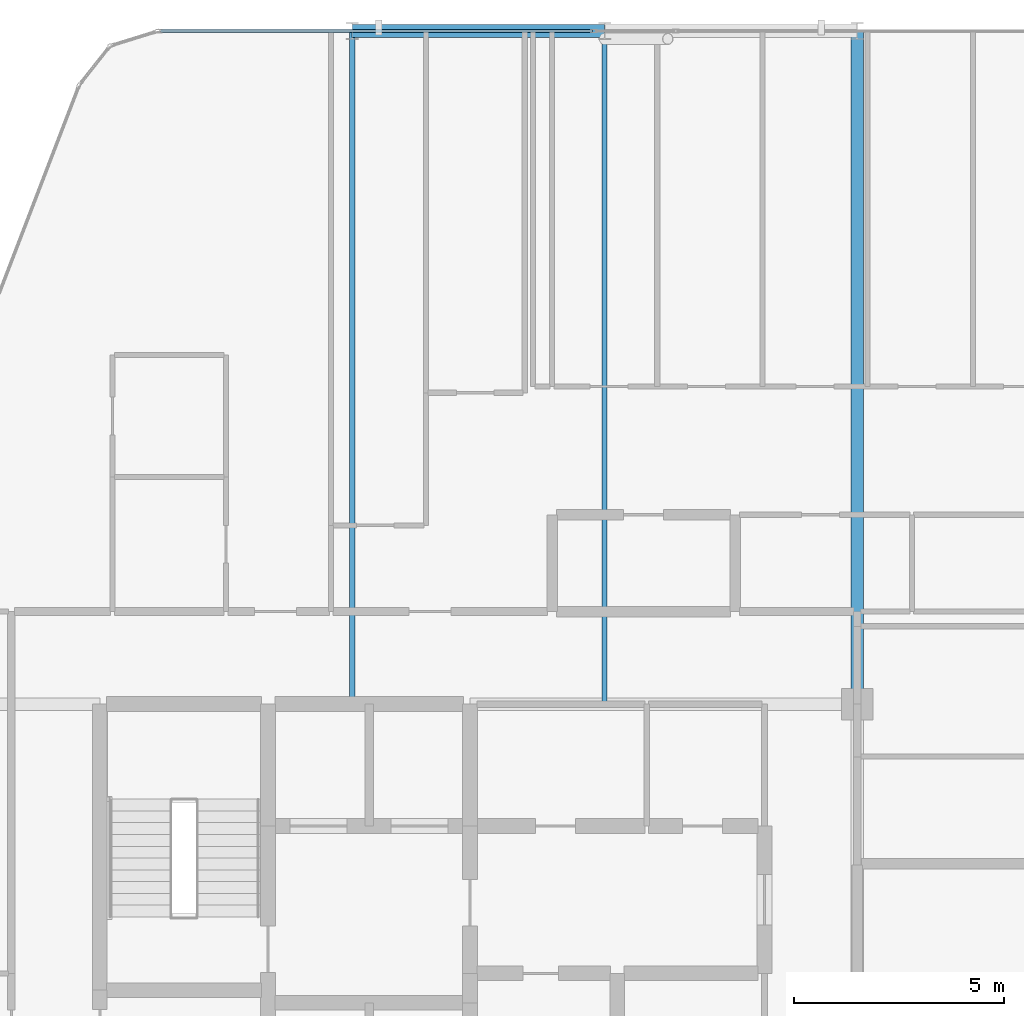
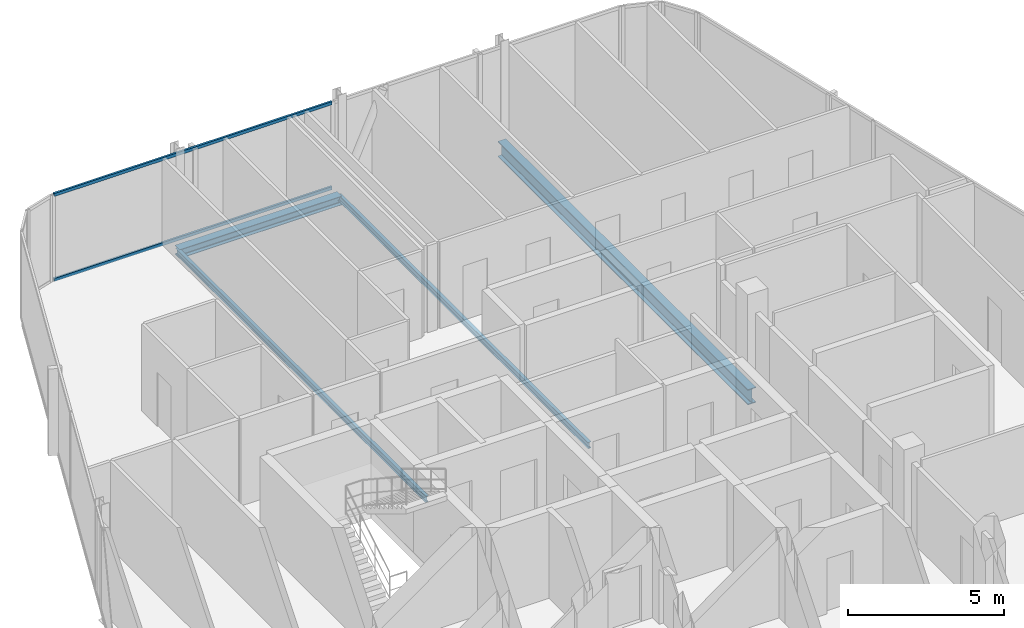
# One storey, part 18 of 30: 4 beams, 2 members, 1 element without a shape of its own.
"""IFC4 building model written with IfcOpenShell, lengths in metres."""

from ifc_helpers import new_model, si_unit, direction, frame, origin, origin_2d, place, context, subcontext, project, spatial, hollow_rectangle, i_section, extrude, material, layer, layer_set, material_profile, profile_set, type_object, element, aggregate, save


model = new_model("IFC4")

# Units and contexts
model_context = context("Model", 3, precision=1e-05, world=origin(), true_north=direction((0.0, 1.0)))
body_context = subcontext(model_context, "Body", "Model", "MODEL_VIEW")
ifc_project = project(units=[si_unit("LENGTHUNIT", "METRE"), si_unit("AREAUNIT", "SQUARE_METRE"), si_unit("VOLUMEUNIT", "CUBIC_METRE"), si_unit("PLANEANGLEUNIT", "RADIAN"), si_unit("MASSUNIT", "GRAM", prefix="KILO")], contexts=[model_context])

# Site, building, storey
site_placement = place(None, origin())
site = spatial("IfcSite", under=ifc_project, at=site_placement, CompositionType="ELEMENT")
building_placement = place(site_placement, origin())
building = spatial("IfcBuilding", under=site, at=building_placement, Name="Keshet Zoharim Tower", CompositionType="ELEMENT")
storey_placement = place(building_placement, frame((0.0, 0.0, 280.60009765625)))
storey = spatial("IfcBuildingStorey", under=building, at=storey_placement, Name="L70", CompositionType="ELEMENT", Elevation=280.60009765625)

# Beams
ifc_material_1 = material(Name="Steel S355", Category="steel")
ifc_material_profile_1 = material_profile(ifc_material_1, i_section(OverallWidth=0.1201171875, OverallDepth=0.239990234375, WebThickness=0.006103515625, FlangeThickness=0.009765625, FilletRadius=0.014892578125, at=origin_2d()), Name="IPE240")
ifc_profile_set_1 = profile_set([ifc_material_profile_1], Name="Steel S355")
beam_type_1 = type_object("IfcBeamType", Name="BM-JST-IP240", PredefinedType="JOIST", material=ifc_profile_set_1)
for number, where, z_axis, x_axis, name in (
    (1, (21.0, 37.89990234375, -0.43017578125), (0.0, 1.0, 0.0), (-1.0, 0.0, 0.0), "L70 Secondary Floor Joist J-001"),
    (2, (27.0, 37.89990234375, -0.43017578125), (0.0, 1.0, 0.0), (-1.0, 0.0, 0.0), "L70 Secondary Floor Joist J-002"),
):
    element("IfcBeam", number, at=place(storey_placement, frame(where, z_axis=z_axis, x_axis=x_axis)), inside=storey, type_object=beam_type_1, Name=name, PredefinedType="JOIST", context=body_context, shape_type="SweptSolid", body=[
        extrude(i_section(OverallWidth=0.1201171875, OverallDepth=0.239990234375, WebThickness=0.006103515625, FlangeThickness=0.009765625, FilletRadius=0.014892578125, at=origin_2d()), origin(), (0.0, 0.0, 1.0), 16.0),
    ])
ifc_material_profile_2 = material_profile(ifc_material_1, i_section(OverallWidth=0.300048828125, OverallDepth=0.60009765625, WebThickness=0.015380859375, FlangeThickness=0.030029296875, FilletRadius=0.027099609375, at=origin_2d()), Name="HEB600")
ifc_profile_set_2 = profile_set([ifc_material_profile_2], Name="Steel S355")
beam_type_2 = type_object("IfcBeamType", Name="BM-LNG-HB600", PredefinedType="BEAM", material=ifc_profile_set_2)
beam_1_placement = place(storey_placement, frame((33.0, 37.89990234375, -0.610107421875), z_axis=(0.0, 1.0, 0.0), x_axis=(-1.0, 0.0, 0.0)))
element("IfcBeam", 3, at=beam_1_placement, inside=storey, type_object=beam_type_2, Name="L70 Primary Girder Y-009", PredefinedType="BEAM", context=body_context, shape_type="SweptSolid", body=[
    extrude(i_section(OverallWidth=0.300048828125, OverallDepth=0.60009765625, WebThickness=0.015380859375, FlangeThickness=0.030029296875, FilletRadius=0.027099609375, at=origin_2d()), origin(), (0.0, 0.0, 1.0), 16.0),
])
ifc_material_profile_3 = material_profile(ifc_material_1, i_section(OverallWidth=0.300048828125, OverallDepth=0.35009765625, WebThickness=0.010009765625, FlangeThickness=0.017578125, FilletRadius=0.027099609375, at=origin_2d()), Name="HEA360")
ifc_profile_set_3 = profile_set([ifc_material_profile_3], Name="Steel S355")
beam_type_3 = type_object("IfcBeamType", Name="BM-PRI-HA360", PredefinedType="BEAM", material=ifc_profile_set_3)
beam_2_placement = place(storey_placement, frame((21.0, 53.89990234375, -0.485107421875), z_axis=(1.0, 0.0, 0.0), x_axis=(0.0, 1.0, 0.0)))
element("IfcBeam", 4, at=beam_2_placement, inside=storey, type_object=beam_type_3, Name="L70 Primary Girder X-010", PredefinedType="BEAM", context=body_context, shape_type="SweptSolid", body=[
    extrude(i_section(OverallWidth=0.300048828125, OverallDepth=0.35009765625, WebThickness=0.010009765625, FlangeThickness=0.017578125, FilletRadius=0.027099609375, at=origin_2d()), origin(), (0.0, 0.0, 1.0), 6.0),
])

# Curtain wall, members
ifc_material_2 = material(Name="Aluminium 6063-T6", Category="aluminium")
ifc_layer = layer(ifc_material_2, 0.260009765625)
ifc_layer_set = layer_set([ifc_layer], Name="Aluminium 6063-T6")
curtain_wall_type = type_object("IfcCurtainWallType", Name="CW-SYS-06", PredefinedType="NOTDEFINED", material=ifc_layer_set)
curtain_wall_placement = place(storey_placement, origin())
curtain_wall = element("IfcCurtainWall", 5, at=curtain_wall_placement, inside=storey, type_object=curtain_wall_type, Name="L70 Unitised Curtain Wall 06", PredefinedType="NOTDEFINED")
ifc_material_profile_4 = material_profile(ifc_material_2, hollow_rectangle(XDim=0.074951171875, YDim=0.1201171875, WallThickness=0.00390625, at=origin_2d()), Name="TRN-75x120")
ifc_profile_set_4 = profile_set([ifc_material_profile_4], Name="Aluminium 6063-T6")
member_type = type_object("IfcMemberType", Name="CWT-T12", PredefinedType="USERDEFINED", material=ifc_profile_set_4)
member_1_placement = place(storey_placement, frame((16.444091796875, 53.89990234375, 0.034912109375), z_axis=(1.0, 0.0, 0.0), x_axis=(0.0, 1.0, 0.0)))
member_1 = element("IfcMember", 6, at=member_1_placement, type_object=member_type, Name="CW-06 transom 1.1", ObjectType="TRANSOM", PredefinedType="USERDEFINED", context=body_context, shape_type="SweptSolid", body=[
    extrude(hollow_rectangle(XDim=0.074951171875, YDim=0.1201171875, WallThickness=0.00390625, at=origin_2d()), origin(), (0.0, 0.0, 1.0), 10.260986328125),
])
member_2_placement = place(storey_placement, frame((16.444091796875, 53.89990234375, 3.35498046875), z_axis=(1.0, 0.0, 0.0), x_axis=(0.0, 1.0, 0.0)))
member_2 = element("IfcMember", 7, at=member_2_placement, type_object=member_type, Name="CW-06 transom 1.2", ObjectType="TRANSOM", PredefinedType="USERDEFINED", context=body_context, shape_type="SweptSolid", body=[
    extrude(hollow_rectangle(XDim=0.074951171875, YDim=0.1201171875, WallThickness=0.00390625, at=origin_2d()), origin(), (0.0, 0.0, 1.0), 10.260986328125),
])
aggregate(curtain_wall, [member_1, member_2])

save(model, "model.ifc")
